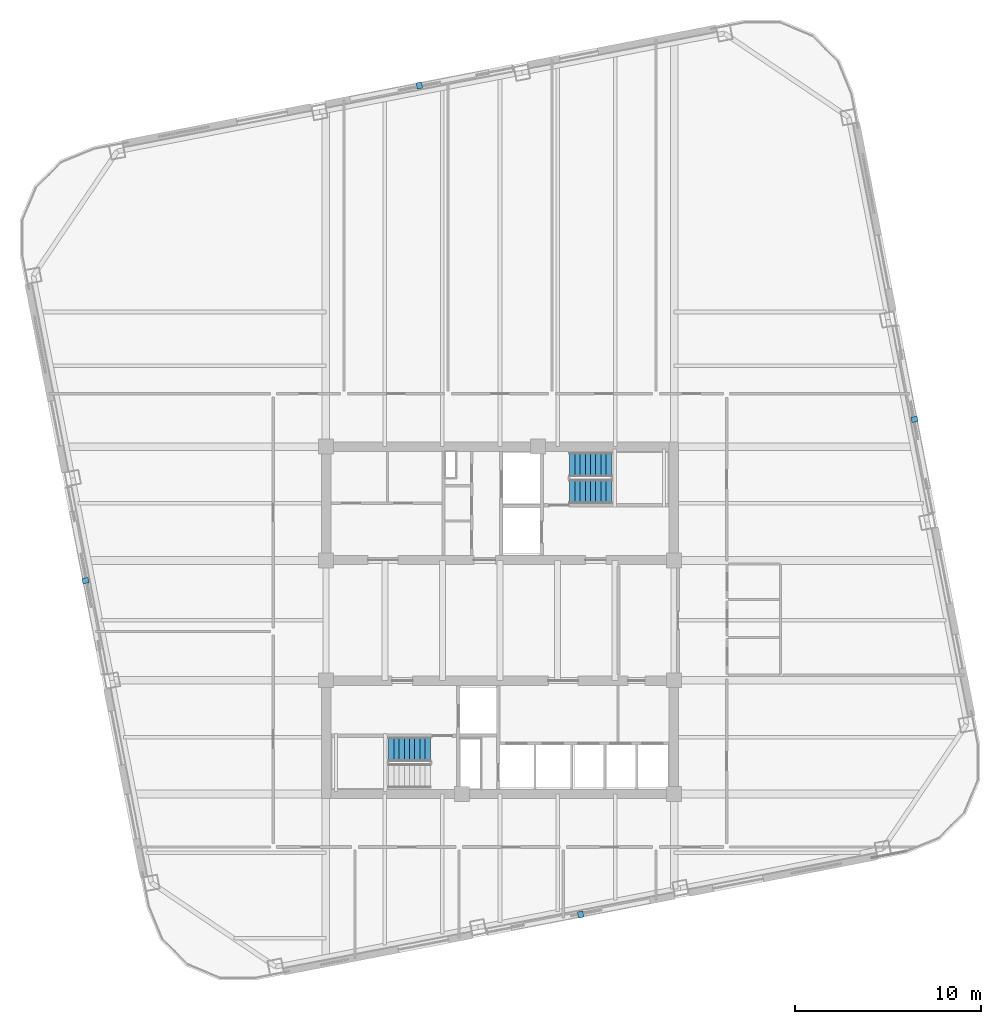
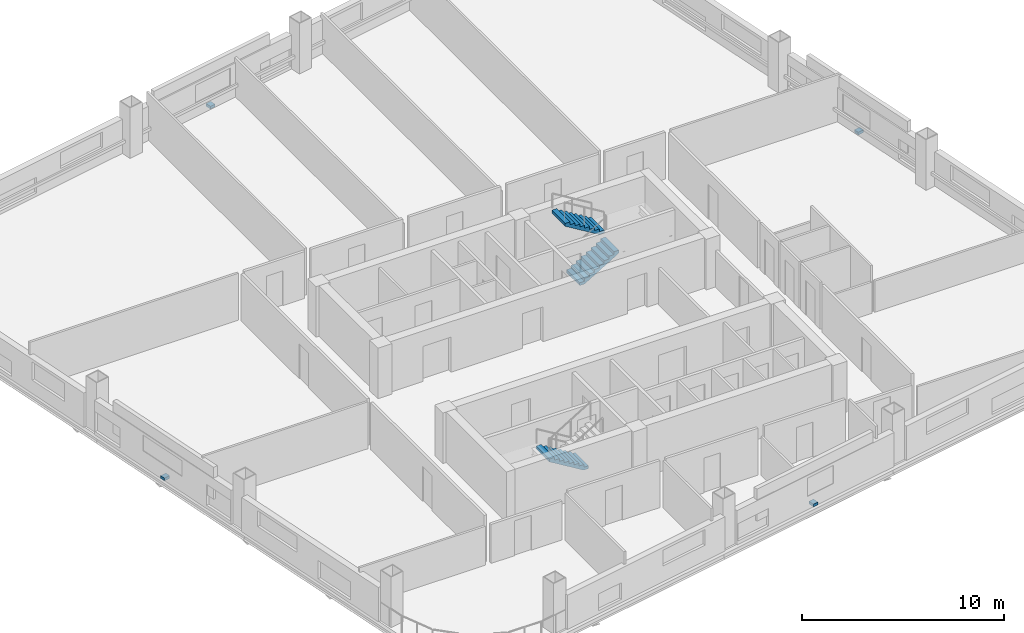
# One storey, part 6 of 9: 4 discrete accessories, 3 stair flights, 2 elements without a shape of their own.
"""IFC4 building model written with IfcOpenShell, lengths in metres."""

from ifc_helpers import new_model, si_unit, direction, frame, origin, origin_2d, place, context, subcontext, project, spatial, polyline, rectangle, outline, extrude, material, type_object, element, aggregate, save


model = new_model("IFC4")

# Units and contexts
model_context = context("Model", 3, precision=1e-05, world=origin(), true_north=direction((0.0, 1.0)))
body_context = subcontext(model_context, "Body", "Model", "MODEL_VIEW")
ifc_project = project(units=[si_unit("LENGTHUNIT", "METRE"), si_unit("AREAUNIT", "SQUARE_METRE"), si_unit("VOLUMEUNIT", "CUBIC_METRE"), si_unit("PLANEANGLEUNIT", "RADIAN"), si_unit("MASSUNIT", "GRAM", prefix="KILO")], contexts=[model_context])

# Site, building, storey
site_placement = place(None, origin())
site = spatial("IfcSite", under=ifc_project, at=site_placement, CompositionType="ELEMENT")
building_placement = place(site_placement, origin())
building = spatial("IfcBuilding", under=site, at=building_placement, Name="Qhalaya Broadcast Tower", CompositionType="ELEMENT")
storey_placement = place(building_placement, frame((0.0, 0.0, 128.050048828125)))
storey = spatial("IfcBuildingStorey", under=building, at=storey_placement, Name="L37", CompositionType="ELEMENT", Elevation=128.050048828125)

# Stair, stair flights
ifc_material_1 = material(Name="Concrete C40/50", Category="concrete")
stair_type = type_object("IfcStairType", Name="Protected Dogleg Core Stair 3150", PredefinedType="TWO_STRAIGHT_RUN_STAIR", material=ifc_material_1)
stair_1_placement = place(storey_placement, origin())
stair_1 = element("IfcStair", 1, at=stair_1_placement, inside=storey, type_object=stair_type, Name="L37 North Core Exit Stair ST-1", PredefinedType="TWO_STRAIGHT_RUN_STAIR")
ifc_material_2 = material(Name="Precast Concrete C40/50", Category="concrete")
stair_flight_type = type_object("IfcStairFlightType", Name="Precast Concrete Stair Flight 3150", PredefinedType="STRAIGHT", material=ifc_material_2)
stair_flight_1_placement = place(storey_placement, frame((3.75, 7.5400390625, 0.0), z_axis=(0.0, 0.0, 1.0), x_axis=(1.0, 0.0, 0.0)))
stair_flight_1 = element("IfcStairFlight", 2, at=stair_flight_1_placement, type_object=stair_flight_type, Name="ST-1 flight 1", NumberOfRisers=9, NumberOfTreads=8, PredefinedType="STRAIGHT", RiserHeight=0.169444444, TreadLength=0.28, context=body_context, shape_type="SweptSolid", body=[
    extrude(outline(polyline([(0.0, 0.0), (0.0, 0.16943359375), (0.280029296875, 0.16943359375), (0.280029296875, 0.3388671875), (0.56005859375, 0.3388671875), (0.56005859375, 0.50830078125), (0.840087890625, 0.50830078125), (0.840087890625, 0.677734375), (1.1201171875, 0.677734375), (1.1201171875, 0.84716796875), (1.39990234375, 0.84716796875), (1.39990234375, 1.0166015625), (1.679931640625, 1.0166015625), (1.679931640625, 1.18603515625), (1.9599609375, 1.18603515625), (1.9599609375, 1.35546875), (2.239990234375, 1.35546875), (2.239990234375, 1.52490234375), (2.239990234375, 1.180419921875), (0.28955078125, 0.0), (0.0, 0.0)])), frame((0.0, 0.66015625, 0.0), z_axis=(0.0, -1.0, 0.0), x_axis=(1.0, 0.0, 0.0)), (0.0, 0.0, 1.0), 1.320068359375),
])
stair_flight_2_placement = place(storey_placement, frame((5.989990234375, 8.97998046875, 1.52490234375), z_axis=(0.0, 0.0, 1.0), x_axis=(-1.0, 0.0, 0.0)))
stair_flight_2 = element("IfcStairFlight", 3, at=stair_flight_2_placement, type_object=stair_flight_type, Name="ST-1 flight 2", NumberOfRisers=9, NumberOfTreads=8, PredefinedType="STRAIGHT", RiserHeight=0.169444444, TreadLength=0.28, context=body_context, shape_type="SweptSolid", body=[
    extrude(outline(polyline([(0.0, 0.0), (0.0, 0.16943359375), (0.280029296875, 0.16943359375), (0.280029296875, 0.3388671875), (0.56005859375, 0.3388671875), (0.56005859375, 0.50830078125), (0.840087890625, 0.50830078125), (0.840087890625, 0.677734375), (1.1201171875, 0.677734375), (1.1201171875, 0.84716796875), (1.39990234375, 0.84716796875), (1.39990234375, 1.0166015625), (1.679931640625, 1.0166015625), (1.679931640625, 1.18603515625), (1.9599609375, 1.18603515625), (1.9599609375, 1.35546875), (2.239990234375, 1.35546875), (2.239990234375, 1.52490234375), (2.239990234375, 1.180419921875), (0.28955078125, 0.0), (0.0, 0.0)])), frame((0.0, 0.66015625, 0.0), z_axis=(0.0, -1.0, 0.0), x_axis=(1.0, 0.0, 0.0)), (0.0, 0.0, 1.0), 1.320068359375),
])
aggregate(stair_1, [stair_flight_1, stair_flight_2])

# Stair, stair flight
stair_2_placement = place(storey_placement, origin())
stair_2 = element("IfcStair", 4, at=stair_2_placement, inside=storey, type_object=stair_type, Name="L37 South Core Exit Stair ST-2", PredefinedType="TWO_STRAIGHT_RUN_STAIR")
stair_flight_3_placement = place(storey_placement, frame((-3.75, -6.340087890625, 0.0), z_axis=(0.0, 0.0, 1.0), x_axis=(-1.0, 0.0, 0.0)))
stair_flight_3 = element("IfcStairFlight", 5, at=stair_flight_3_placement, type_object=stair_flight_type, Name="ST-2 flight 1", NumberOfRisers=9, NumberOfTreads=8, PredefinedType="STRAIGHT", RiserHeight=0.169444444, TreadLength=0.28, context=body_context, shape_type="SweptSolid", body=[
    extrude(outline(polyline([(0.0, 0.0), (0.0, 0.16943359375), (0.280029296875, 0.16943359375), (0.280029296875, 0.3388671875), (0.56005859375, 0.3388671875), (0.56005859375, 0.50830078125), (0.840087890625, 0.50830078125), (0.840087890625, 0.677734375), (1.1201171875, 0.677734375), (1.1201171875, 0.84716796875), (1.39990234375, 0.84716796875), (1.39990234375, 1.0166015625), (1.679931640625, 1.0166015625), (1.679931640625, 1.18603515625), (1.9599609375, 1.18603515625), (1.9599609375, 1.35546875), (2.239990234375, 1.35546875), (2.239990234375, 1.52490234375), (2.239990234375, 1.180419921875), (0.28955078125, 0.0), (0.0, 0.0)])), frame((0.0, 0.66015625, 0.0), z_axis=(0.0, -1.0, 0.0), x_axis=(1.0, 0.0, 0.0)), (0.0, 0.0, 1.0), 1.320068359375),
])
aggregate(stair_2, [stair_flight_3])

# Discrete accessories
ifc_material_3 = material(Name="Structural Steel ASTM A572 Grade 50", Category="steel")
discrete_accessory_type = type_object("IfcDiscreteAccessoryType", Name="Facade Baguette Support Bracket BRK-01", PredefinedType="BRACKET", material=ifc_material_3)
for number, where, z_axis, x_axis, name in (
    (6, (4.337158203125, -15.232421875, 0.0), (0.0, 0.0, 1.0), (0.981627183448, 0.190808995377, 0.0), "L37 Baguette Support Bracket S"),
    (7, (22.3125, 11.4169921875, 0.0), (0.0, 0.0, 1.0), (-0.190808995377, 0.981627183448, 0.0), "L37 Baguette Support Bracket E"),
    (8, (-4.337158203125, 29.392333984375, 0.0), (0.0, 0.0, 1.0), (-0.981627183448, -0.190808995377, 0.0), "L37 Baguette Support Bracket N"),
    (9, (-22.3125, 2.742919921875, 0.0), (0.0, 0.0, 1.0), (0.190808995377, -0.981627183448, 0.0), "L37 Baguette Support Bracket W"),
):
    element("IfcDiscreteAccessory", number, at=place(storey_placement, frame(where, z_axis=z_axis, x_axis=x_axis)), inside=storey, type_object=discrete_accessory_type, Name=name, PredefinedType="BRACKET", context=body_context, shape_type="SweptSolid", body=[
        extrude(rectangle(XDim=0.300048828125, YDim=0.340087890625, at=origin_2d()), origin(), (0.0, 0.0, 1.0), 0.159912109375),
    ])

save(model, "model.ifc")
